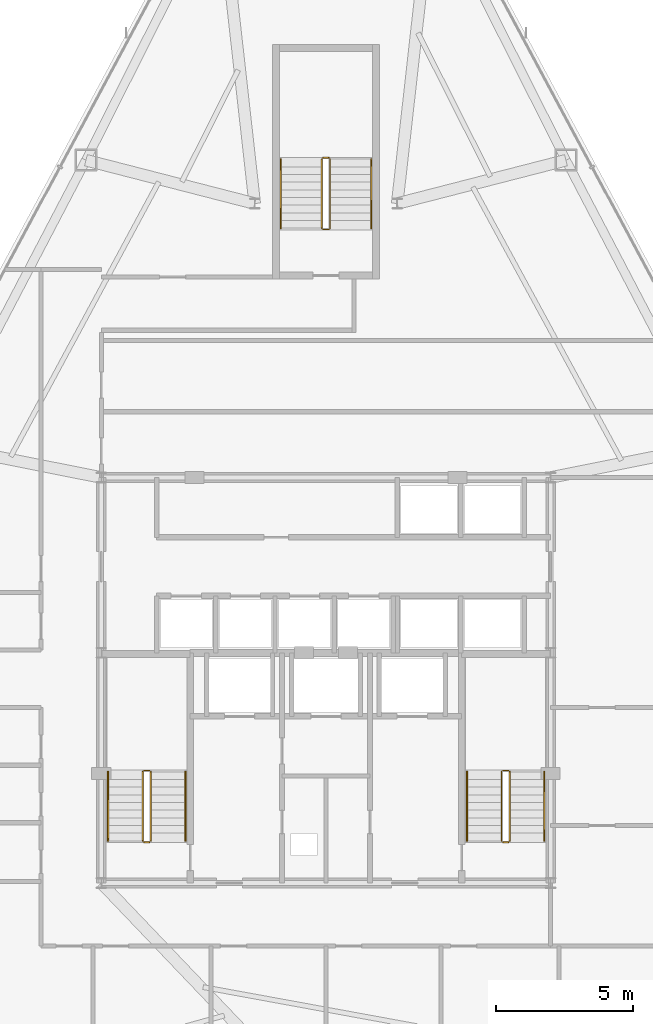
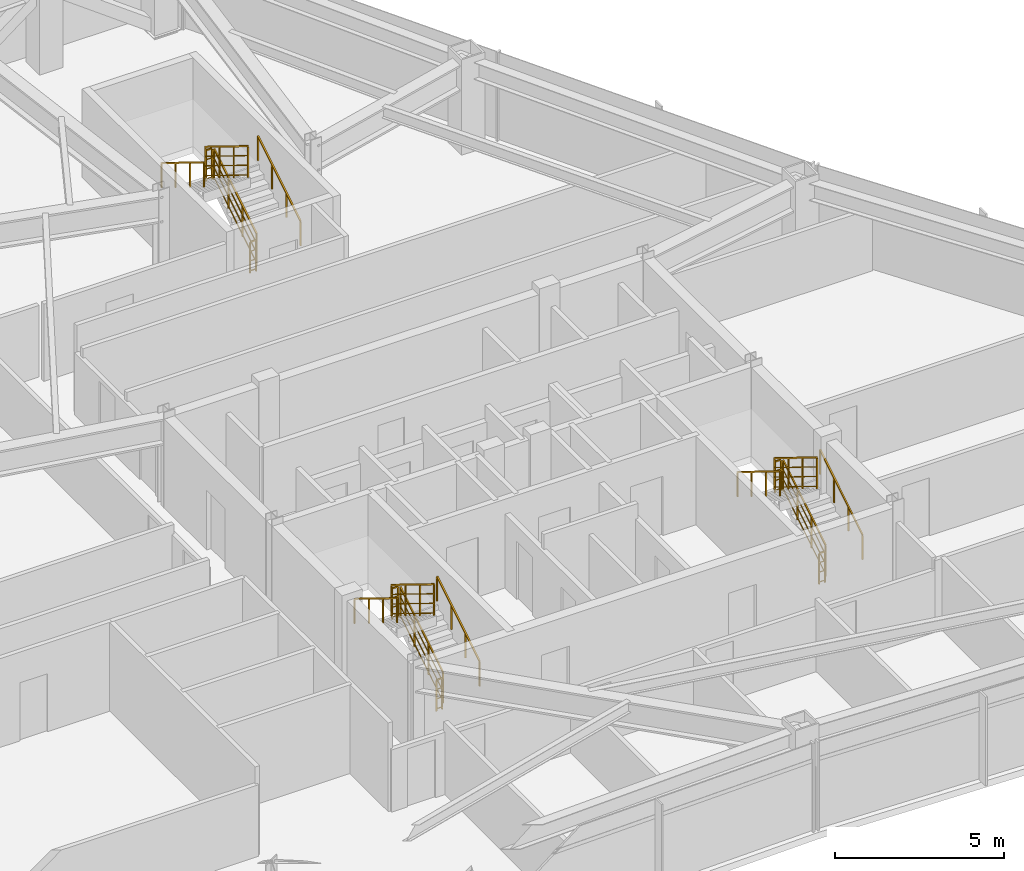
# One storey, part 13 of 13: 18 railings.
"""IFC4 building model written with IfcOpenShell, lengths in metres."""

from ifc_helpers import new_model, si_unit, direction, frame, origin, origin_2d, place, context, subcontext, project, spatial, rectangle, extrude, material, type_object, element, save


model = new_model("IFC4")

# Units and contexts
model_context = context("Model", 3, precision=1e-05, world=origin(), true_north=direction((0.0, 1.0)))
body_context = subcontext(model_context, "Body", "Model", "MODEL_VIEW")
ifc_project = project(units=[si_unit("LENGTHUNIT", "METRE"), si_unit("AREAUNIT", "SQUARE_METRE"), si_unit("VOLUMEUNIT", "CUBIC_METRE"), si_unit("PLANEANGLEUNIT", "RADIAN"), si_unit("MASSUNIT", "GRAM", prefix="KILO")], contexts=[model_context])

# Site, building, storey
site_placement = place(None, origin())
site = spatial("IfcSite", under=ifc_project, at=site_placement, CompositionType="ELEMENT")
building_placement = place(site_placement, origin())
building = spatial("IfcBuilding", under=site, at=building_placement, Name="Varakhsha Concourse Tower", CompositionType="ELEMENT")
storey_placement = place(building_placement, frame((0.0, 0.0, 162.0)))
storey = spatial("IfcBuildingStorey", under=building, at=storey_placement, Name="L46", CompositionType="ELEMENT", Elevation=162.0)

# Railings
ifc_material = material(Name="Brushed Austenitic Stainless Steel AISI 316", Category="steel")
railing_type_1 = type_object("IfcRailingType", Name="RL-STAIR-GUARD-1100", PredefinedType="GUARDRAIL", material=ifc_material)
railing_1_placement = place(storey_placement, frame((33.610107421875, 17.93994140625, 0.172607421875)))
element("IfcRailing", 1, at=railing_1_placement, inside=storey, type_object=railing_type_1, Name="L46 ST1 stair guard 1", PredefinedType="GUARDRAIL", context=body_context, shape_type="SweptSolid", body=[
    extrude(rectangle(XDim=0.048095703125, YDim=0.048095703125, at=origin_2d()), frame((0.0, 0.0, 1.1259765625), z_axis=(0.0, 0.851400495292, 0.524516154772), x_axis=(-1.0, 0.0, 0.0)), (0.0, 0.0, 1.0), 2.9599609375),
    extrude(rectangle(XDim=0.028076171875, YDim=0.028076171875, at=origin_2d()), frame((0.0, 0.0, 0.080078125), z_axis=(0.0, 0.851400495292, 0.524516154772), x_axis=(-1.0, 0.0, 0.0)), (0.0, 0.0, 1.0), 2.9599609375),
    extrude(rectangle(XDim=0.028076171875, YDim=0.028076171875, at=origin_2d()), frame((0.0, 0.0, 0.43701171875), z_axis=(0.0, 0.851400495292, 0.524516154772), x_axis=(-1.0, 0.0, 0.0)), (0.0, 0.0, 1.0), 2.9599609375),
    extrude(rectangle(XDim=0.028076171875, YDim=0.028076171875, at=origin_2d()), frame((0.0, 0.0, 0.781982421875), z_axis=(0.0, 0.851400495292, 0.524516154772), x_axis=(-1.0, 0.0, 0.0)), (0.0, 0.0, 1.0), 2.9599609375),
    extrude(rectangle(XDim=0.0419921875, YDim=0.0419921875, at=origin_2d()), origin(), (0.0, 0.0, 1.0), 1.101806640625),
    extrude(rectangle(XDim=0.0419921875, YDim=0.0419921875, at=origin_2d()), frame((0.0, 0.840087890625, 0.517578125)), (0.0, 0.0, 1.0), 1.101806640625),
    extrude(rectangle(XDim=0.0419921875, YDim=0.0419921875, at=origin_2d()), frame((0.0, 1.679931640625, 1.034912109375)), (0.0, 0.0, 1.0), 1.101806640625),
    extrude(rectangle(XDim=0.0419921875, YDim=0.0419921875, at=origin_2d()), frame((0.0, 2.52001953125, 1.552490234375)), (0.0, 0.0, 1.0), 1.101806640625),
])
railing_2_placement = place(storey_placement, frame((33.56005859375, 20.510009765625, 1.72509765625)))
element("IfcRailing", 2, at=railing_2_placement, inside=storey, type_object=railing_type_1, Name="L46 ST1 stair guard 2", PredefinedType="GUARDRAIL", context=body_context, shape_type="SweptSolid", body=[
    extrude(rectangle(XDim=0.048095703125, YDim=0.048095703125, at=origin_2d()), frame((0.0, 0.0, 1.1259765625), z_axis=(-1.0, 0.0, 0.0), x_axis=(0.0, -1.0, 0.0)), (0.0, 0.0, 1.0), 0.199951171875),
    extrude(rectangle(XDim=0.028076171875, YDim=0.028076171875, at=origin_2d()), frame((0.0, 0.0, 0.080078125), z_axis=(-1.0, 0.0, 0.0), x_axis=(0.0, -1.0, 0.0)), (0.0, 0.0, 1.0), 0.199951171875),
    extrude(rectangle(XDim=0.028076171875, YDim=0.028076171875, at=origin_2d()), frame((0.0, 0.0, 0.43701171875), z_axis=(-1.0, 0.0, 0.0), x_axis=(0.0, -1.0, 0.0)), (0.0, 0.0, 1.0), 0.199951171875),
    extrude(rectangle(XDim=0.028076171875, YDim=0.028076171875, at=origin_2d()), frame((0.0, 0.0, 0.781982421875), z_axis=(-1.0, 0.0, 0.0), x_axis=(0.0, -1.0, 0.0)), (0.0, 0.0, 1.0), 0.199951171875),
    extrude(rectangle(XDim=0.0419921875, YDim=0.0419921875, at=origin_2d()), origin(), (0.0, 0.0, 1.0), 1.101806640625),
    extrude(rectangle(XDim=0.0419921875, YDim=0.0419921875, at=origin_2d()), frame((-0.199951171875, 0.0, 0.0)), (0.0, 0.0, 1.0), 1.101806640625),
])
railing_3_placement = place(storey_placement, frame((33.31005859375, 20.4599609375, 1.8974609375)))
element("IfcRailing", 3, at=railing_3_placement, inside=storey, type_object=railing_type_1, Name="L46 ST1 stair guard 3", PredefinedType="GUARDRAIL", context=body_context, shape_type="SweptSolid", body=[
    extrude(rectangle(XDim=0.048095703125, YDim=0.048095703125, at=origin_2d()), frame((0.0, 0.0, 1.1259765625), z_axis=(0.0, -0.851400495292, 0.524516154772), x_axis=(1.0, 0.0, 0.0)), (0.0, 0.0, 1.0), 2.9599609375),
    extrude(rectangle(XDim=0.028076171875, YDim=0.028076171875, at=origin_2d()), frame((0.0, 0.0, 0.080078125), z_axis=(0.0, -0.851400495292, 0.524516154772), x_axis=(1.0, 0.0, 0.0)), (0.0, 0.0, 1.0), 2.9599609375),
    extrude(rectangle(XDim=0.028076171875, YDim=0.028076171875, at=origin_2d()), frame((0.0, 0.0, 0.43701171875), z_axis=(0.0, -0.851400495292, 0.524516154772), x_axis=(1.0, 0.0, 0.0)), (0.0, 0.0, 1.0), 2.9599609375),
    extrude(rectangle(XDim=0.028076171875, YDim=0.028076171875, at=origin_2d()), frame((0.0, 0.0, 0.781982421875), z_axis=(0.0, -0.851400495292, 0.524516154772), x_axis=(1.0, 0.0, 0.0)), (0.0, 0.0, 1.0), 2.9599609375),
    extrude(rectangle(XDim=0.0419921875, YDim=0.0419921875, at=origin_2d()), origin(), (0.0, 0.0, 1.0), 1.101806640625),
    extrude(rectangle(XDim=0.0419921875, YDim=0.0419921875, at=origin_2d()), frame((0.0, -0.840087890625, 0.517578125)), (0.0, 0.0, 1.0), 1.101806640625),
    extrude(rectangle(XDim=0.0419921875, YDim=0.0419921875, at=origin_2d()), frame((0.0, -1.679931640625, 1.034912109375)), (0.0, 0.0, 1.0), 1.101806640625),
    extrude(rectangle(XDim=0.0419921875, YDim=0.0419921875, at=origin_2d()), frame((0.0, -2.52001953125, 1.552490234375)), (0.0, 0.0, 1.0), 1.101806640625),
])
railing_4_placement = place(storey_placement, frame((33.56005859375, 17.889892578125, 0.0)))
element("IfcRailing", 4, at=railing_4_placement, inside=storey, type_object=railing_type_1, Name="L46 ST1 stair guard 4", PredefinedType="GUARDRAIL", context=body_context, shape_type="SweptSolid", body=[
    extrude(rectangle(XDim=0.048095703125, YDim=0.048095703125, at=origin_2d()), frame((0.0, 0.0, 1.1259765625), z_axis=(-1.0, 0.0, 0.0), x_axis=(0.0, -1.0, 0.0)), (0.0, 0.0, 1.0), 0.199951171875),
    extrude(rectangle(XDim=0.028076171875, YDim=0.028076171875, at=origin_2d()), frame((0.0, 0.0, 0.080078125), z_axis=(-1.0, 0.0, 0.0), x_axis=(0.0, -1.0, 0.0)), (0.0, 0.0, 1.0), 0.199951171875),
    extrude(rectangle(XDim=0.028076171875, YDim=0.028076171875, at=origin_2d()), frame((0.0, 0.0, 0.43701171875), z_axis=(-1.0, 0.0, 0.0), x_axis=(0.0, -1.0, 0.0)), (0.0, 0.0, 1.0), 0.199951171875),
    extrude(rectangle(XDim=0.028076171875, YDim=0.028076171875, at=origin_2d()), frame((0.0, 0.0, 0.781982421875), z_axis=(-1.0, 0.0, 0.0), x_axis=(0.0, -1.0, 0.0)), (0.0, 0.0, 1.0), 0.199951171875),
    extrude(rectangle(XDim=0.0419921875, YDim=0.0419921875, at=origin_2d()), origin(), (0.0, 0.0, 1.0), 1.101806640625),
    extrude(rectangle(XDim=0.0419921875, YDim=0.0419921875, at=origin_2d()), frame((-0.199951171875, 0.0, 0.0)), (0.0, 0.0, 1.0), 1.101806640625),
])
railing_5_placement = place(storey_placement, frame((46.7099609375, 17.93994140625, 0.172607421875)))
element("IfcRailing", 5, at=railing_5_placement, inside=storey, type_object=railing_type_1, Name="L46 ST2 stair guard 1", PredefinedType="GUARDRAIL", context=body_context, shape_type="SweptSolid", body=[
    extrude(rectangle(XDim=0.048095703125, YDim=0.048095703125, at=origin_2d()), frame((0.0, 0.0, 1.1259765625), z_axis=(0.0, 0.851400495292, 0.524516154772), x_axis=(-1.0, 0.0, 0.0)), (0.0, 0.0, 1.0), 2.9599609375),
    extrude(rectangle(XDim=0.028076171875, YDim=0.028076171875, at=origin_2d()), frame((0.0, 0.0, 0.080078125), z_axis=(0.0, 0.851400495292, 0.524516154772), x_axis=(-1.0, 0.0, 0.0)), (0.0, 0.0, 1.0), 2.9599609375),
    extrude(rectangle(XDim=0.028076171875, YDim=0.028076171875, at=origin_2d()), frame((0.0, 0.0, 0.43701171875), z_axis=(0.0, 0.851400495292, 0.524516154772), x_axis=(-1.0, 0.0, 0.0)), (0.0, 0.0, 1.0), 2.9599609375),
    extrude(rectangle(XDim=0.028076171875, YDim=0.028076171875, at=origin_2d()), frame((0.0, 0.0, 0.781982421875), z_axis=(0.0, 0.851400495292, 0.524516154772), x_axis=(-1.0, 0.0, 0.0)), (0.0, 0.0, 1.0), 2.9599609375),
    extrude(rectangle(XDim=0.0419921875, YDim=0.0419921875, at=origin_2d()), origin(), (0.0, 0.0, 1.0), 1.101806640625),
    extrude(rectangle(XDim=0.0419921875, YDim=0.0419921875, at=origin_2d()), frame((0.0, 0.840087890625, 0.517578125)), (0.0, 0.0, 1.0), 1.101806640625),
    extrude(rectangle(XDim=0.0419921875, YDim=0.0419921875, at=origin_2d()), frame((0.0, 1.679931640625, 1.034912109375)), (0.0, 0.0, 1.0), 1.101806640625),
    extrude(rectangle(XDim=0.0419921875, YDim=0.0419921875, at=origin_2d()), frame((0.0, 2.52001953125, 1.552490234375)), (0.0, 0.0, 1.0), 1.101806640625),
])
railing_6_placement = place(storey_placement, frame((46.659912109375, 20.510009765625, 1.72509765625)))
element("IfcRailing", 6, at=railing_6_placement, inside=storey, type_object=railing_type_1, Name="L46 ST2 stair guard 2", PredefinedType="GUARDRAIL", context=body_context, shape_type="SweptSolid", body=[
    extrude(rectangle(XDim=0.048095703125, YDim=0.048095703125, at=origin_2d()), frame((0.0, 0.0, 1.1259765625), z_axis=(-1.0, 0.0, 0.0), x_axis=(0.0, -1.0, 0.0)), (0.0, 0.0, 1.0), 0.199951171875),
    extrude(rectangle(XDim=0.028076171875, YDim=0.028076171875, at=origin_2d()), frame((0.0, 0.0, 0.080078125), z_axis=(-1.0, 0.0, 0.0), x_axis=(0.0, -1.0, 0.0)), (0.0, 0.0, 1.0), 0.199951171875),
    extrude(rectangle(XDim=0.028076171875, YDim=0.028076171875, at=origin_2d()), frame((0.0, 0.0, 0.43701171875), z_axis=(-1.0, 0.0, 0.0), x_axis=(0.0, -1.0, 0.0)), (0.0, 0.0, 1.0), 0.199951171875),
    extrude(rectangle(XDim=0.028076171875, YDim=0.028076171875, at=origin_2d()), frame((0.0, 0.0, 0.781982421875), z_axis=(-1.0, 0.0, 0.0), x_axis=(0.0, -1.0, 0.0)), (0.0, 0.0, 1.0), 0.199951171875),
    extrude(rectangle(XDim=0.0419921875, YDim=0.0419921875, at=origin_2d()), origin(), (0.0, 0.0, 1.0), 1.101806640625),
    extrude(rectangle(XDim=0.0419921875, YDim=0.0419921875, at=origin_2d()), frame((-0.199951171875, 0.0, 0.0)), (0.0, 0.0, 1.0), 1.101806640625),
])
railing_7_placement = place(storey_placement, frame((46.409912109375, 20.4599609375, 1.8974609375)))
element("IfcRailing", 7, at=railing_7_placement, inside=storey, type_object=railing_type_1, Name="L46 ST2 stair guard 3", PredefinedType="GUARDRAIL", context=body_context, shape_type="SweptSolid", body=[
    extrude(rectangle(XDim=0.048095703125, YDim=0.048095703125, at=origin_2d()), frame((0.0, 0.0, 1.1259765625), z_axis=(0.0, -0.851400495292, 0.524516154772), x_axis=(1.0, 0.0, 0.0)), (0.0, 0.0, 1.0), 2.9599609375),
    extrude(rectangle(XDim=0.028076171875, YDim=0.028076171875, at=origin_2d()), frame((0.0, 0.0, 0.080078125), z_axis=(0.0, -0.851400495292, 0.524516154772), x_axis=(1.0, 0.0, 0.0)), (0.0, 0.0, 1.0), 2.9599609375),
    extrude(rectangle(XDim=0.028076171875, YDim=0.028076171875, at=origin_2d()), frame((0.0, 0.0, 0.43701171875), z_axis=(0.0, -0.851400495292, 0.524516154772), x_axis=(1.0, 0.0, 0.0)), (0.0, 0.0, 1.0), 2.9599609375),
    extrude(rectangle(XDim=0.028076171875, YDim=0.028076171875, at=origin_2d()), frame((0.0, 0.0, 0.781982421875), z_axis=(0.0, -0.851400495292, 0.524516154772), x_axis=(1.0, 0.0, 0.0)), (0.0, 0.0, 1.0), 2.9599609375),
    extrude(rectangle(XDim=0.0419921875, YDim=0.0419921875, at=origin_2d()), origin(), (0.0, 0.0, 1.0), 1.101806640625),
    extrude(rectangle(XDim=0.0419921875, YDim=0.0419921875, at=origin_2d()), frame((0.0, -0.840087890625, 0.517578125)), (0.0, 0.0, 1.0), 1.101806640625),
    extrude(rectangle(XDim=0.0419921875, YDim=0.0419921875, at=origin_2d()), frame((0.0, -1.679931640625, 1.034912109375)), (0.0, 0.0, 1.0), 1.101806640625),
    extrude(rectangle(XDim=0.0419921875, YDim=0.0419921875, at=origin_2d()), frame((0.0, -2.52001953125, 1.552490234375)), (0.0, 0.0, 1.0), 1.101806640625),
])
railing_8_placement = place(storey_placement, frame((46.659912109375, 17.889892578125, 0.0)))
element("IfcRailing", 8, at=railing_8_placement, inside=storey, type_object=railing_type_1, Name="L46 ST2 stair guard 4", PredefinedType="GUARDRAIL", context=body_context, shape_type="SweptSolid", body=[
    extrude(rectangle(XDim=0.048095703125, YDim=0.048095703125, at=origin_2d()), frame((0.0, 0.0, 1.1259765625), z_axis=(-1.0, 0.0, 0.0), x_axis=(0.0, -1.0, 0.0)), (0.0, 0.0, 1.0), 0.199951171875),
    extrude(rectangle(XDim=0.028076171875, YDim=0.028076171875, at=origin_2d()), frame((0.0, 0.0, 0.080078125), z_axis=(-1.0, 0.0, 0.0), x_axis=(0.0, -1.0, 0.0)), (0.0, 0.0, 1.0), 0.199951171875),
    extrude(rectangle(XDim=0.028076171875, YDim=0.028076171875, at=origin_2d()), frame((0.0, 0.0, 0.43701171875), z_axis=(-1.0, 0.0, 0.0), x_axis=(0.0, -1.0, 0.0)), (0.0, 0.0, 1.0), 0.199951171875),
    extrude(rectangle(XDim=0.028076171875, YDim=0.028076171875, at=origin_2d()), frame((0.0, 0.0, 0.781982421875), z_axis=(-1.0, 0.0, 0.0), x_axis=(0.0, -1.0, 0.0)), (0.0, 0.0, 1.0), 0.199951171875),
    extrude(rectangle(XDim=0.0419921875, YDim=0.0419921875, at=origin_2d()), origin(), (0.0, 0.0, 1.0), 1.101806640625),
    extrude(rectangle(XDim=0.0419921875, YDim=0.0419921875, at=origin_2d()), frame((-0.199951171875, 0.0, 0.0)), (0.0, 0.0, 1.0), 1.101806640625),
])
railing_9_placement = place(storey_placement, frame((40.14990234375, 40.300048828125, 0.172607421875)))
element("IfcRailing", 9, at=railing_9_placement, inside=storey, type_object=railing_type_1, Name="L46 ST5 stair guard 1", PredefinedType="GUARDRAIL", context=body_context, shape_type="SweptSolid", body=[
    extrude(rectangle(XDim=0.048095703125, YDim=0.048095703125, at=origin_2d()), frame((0.0, 0.0, 1.1259765625), z_axis=(0.0, 0.851400495292, 0.524516154772), x_axis=(-1.0, 0.0, 0.0)), (0.0, 0.0, 1.0), 2.9599609375),
    extrude(rectangle(XDim=0.028076171875, YDim=0.028076171875, at=origin_2d()), frame((0.0, 0.0, 0.080078125), z_axis=(0.0, 0.851400495292, 0.524516154772), x_axis=(-1.0, 0.0, 0.0)), (0.0, 0.0, 1.0), 2.9599609375),
    extrude(rectangle(XDim=0.028076171875, YDim=0.028076171875, at=origin_2d()), frame((0.0, 0.0, 0.43701171875), z_axis=(0.0, 0.851400495292, 0.524516154772), x_axis=(-1.0, 0.0, 0.0)), (0.0, 0.0, 1.0), 2.9599609375),
    extrude(rectangle(XDim=0.028076171875, YDim=0.028076171875, at=origin_2d()), frame((0.0, 0.0, 0.781982421875), z_axis=(0.0, 0.851400495292, 0.524516154772), x_axis=(-1.0, 0.0, 0.0)), (0.0, 0.0, 1.0), 2.9599609375),
    extrude(rectangle(XDim=0.0419921875, YDim=0.0419921875, at=origin_2d()), origin(), (0.0, 0.0, 1.0), 1.101806640625),
    extrude(rectangle(XDim=0.0419921875, YDim=0.0419921875, at=origin_2d()), frame((0.0, 0.840087890625, 0.517578125)), (0.0, 0.0, 1.0), 1.101806640625),
    extrude(rectangle(XDim=0.0419921875, YDim=0.0419921875, at=origin_2d()), frame((0.0, 1.679931640625, 1.034912109375)), (0.0, 0.0, 1.0), 1.101806640625),
    extrude(rectangle(XDim=0.0419921875, YDim=0.0419921875, at=origin_2d()), frame((0.0, 2.52001953125, 1.552490234375)), (0.0, 0.0, 1.0), 1.101806640625),
])
railing_10_placement = place(storey_placement, frame((40.10009765625, 42.8701171875, 1.72509765625)))
element("IfcRailing", 10, at=railing_10_placement, inside=storey, type_object=railing_type_1, Name="L46 ST5 stair guard 2", PredefinedType="GUARDRAIL", context=body_context, shape_type="SweptSolid", body=[
    extrude(rectangle(XDim=0.048095703125, YDim=0.048095703125, at=origin_2d()), frame((0.0, 0.0, 1.1259765625), z_axis=(-1.0, 0.0, 0.0), x_axis=(0.0, -1.0, 0.0)), (0.0, 0.0, 1.0), 0.2001953125),
    extrude(rectangle(XDim=0.028076171875, YDim=0.028076171875, at=origin_2d()), frame((0.0, 0.0, 0.080078125), z_axis=(-1.0, 0.0, 0.0), x_axis=(0.0, -1.0, 0.0)), (0.0, 0.0, 1.0), 0.2001953125),
    extrude(rectangle(XDim=0.028076171875, YDim=0.028076171875, at=origin_2d()), frame((0.0, 0.0, 0.43701171875), z_axis=(-1.0, 0.0, 0.0), x_axis=(0.0, -1.0, 0.0)), (0.0, 0.0, 1.0), 0.2001953125),
    extrude(rectangle(XDim=0.028076171875, YDim=0.028076171875, at=origin_2d()), frame((0.0, 0.0, 0.781982421875), z_axis=(-1.0, 0.0, 0.0), x_axis=(0.0, -1.0, 0.0)), (0.0, 0.0, 1.0), 0.2001953125),
    extrude(rectangle(XDim=0.0419921875, YDim=0.0419921875, at=origin_2d()), origin(), (0.0, 0.0, 1.0), 1.101806640625),
    extrude(rectangle(XDim=0.0419921875, YDim=0.0419921875, at=origin_2d()), frame((-0.2001953125, 0.0, 0.0)), (0.0, 0.0, 1.0), 1.101806640625),
])
railing_11_placement = place(storey_placement, frame((39.85009765625, 42.820068359375, 1.8974609375)))
element("IfcRailing", 11, at=railing_11_placement, inside=storey, type_object=railing_type_1, Name="L46 ST5 stair guard 3", PredefinedType="GUARDRAIL", context=body_context, shape_type="SweptSolid", body=[
    extrude(rectangle(XDim=0.048095703125, YDim=0.048095703125, at=origin_2d()), frame((0.0, 0.0, 1.1259765625), z_axis=(0.0, -0.851400495292, 0.524516154772), x_axis=(1.0, 0.0, 0.0)), (0.0, 0.0, 1.0), 2.9599609375),
    extrude(rectangle(XDim=0.028076171875, YDim=0.028076171875, at=origin_2d()), frame((0.0, 0.0, 0.080078125), z_axis=(0.0, -0.851400495292, 0.524516154772), x_axis=(1.0, 0.0, 0.0)), (0.0, 0.0, 1.0), 2.9599609375),
    extrude(rectangle(XDim=0.028076171875, YDim=0.028076171875, at=origin_2d()), frame((0.0, 0.0, 0.43701171875), z_axis=(0.0, -0.851400495292, 0.524516154772), x_axis=(1.0, 0.0, 0.0)), (0.0, 0.0, 1.0), 2.9599609375),
    extrude(rectangle(XDim=0.028076171875, YDim=0.028076171875, at=origin_2d()), frame((0.0, 0.0, 0.781982421875), z_axis=(0.0, -0.851400495292, 0.524516154772), x_axis=(1.0, 0.0, 0.0)), (0.0, 0.0, 1.0), 2.9599609375),
    extrude(rectangle(XDim=0.0419921875, YDim=0.0419921875, at=origin_2d()), origin(), (0.0, 0.0, 1.0), 1.101806640625),
    extrude(rectangle(XDim=0.0419921875, YDim=0.0419921875, at=origin_2d()), frame((0.0, -0.840087890625, 0.517578125)), (0.0, 0.0, 1.0), 1.101806640625),
    extrude(rectangle(XDim=0.0419921875, YDim=0.0419921875, at=origin_2d()), frame((0.0, -1.679931640625, 1.034912109375)), (0.0, 0.0, 1.0), 1.101806640625),
    extrude(rectangle(XDim=0.0419921875, YDim=0.0419921875, at=origin_2d()), frame((0.0, -2.52001953125, 1.552490234375)), (0.0, 0.0, 1.0), 1.101806640625),
])
railing_12_placement = place(storey_placement, frame((40.10009765625, 40.25, 0.0)))
element("IfcRailing", 12, at=railing_12_placement, inside=storey, type_object=railing_type_1, Name="L46 ST5 stair guard 4", PredefinedType="GUARDRAIL", context=body_context, shape_type="SweptSolid", body=[
    extrude(rectangle(XDim=0.048095703125, YDim=0.048095703125, at=origin_2d()), frame((0.0, 0.0, 1.1259765625), z_axis=(-1.0, 0.0, 0.0), x_axis=(0.0, -1.0, 0.0)), (0.0, 0.0, 1.0), 0.2001953125),
    extrude(rectangle(XDim=0.028076171875, YDim=0.028076171875, at=origin_2d()), frame((0.0, 0.0, 0.080078125), z_axis=(-1.0, 0.0, 0.0), x_axis=(0.0, -1.0, 0.0)), (0.0, 0.0, 1.0), 0.2001953125),
    extrude(rectangle(XDim=0.028076171875, YDim=0.028076171875, at=origin_2d()), frame((0.0, 0.0, 0.43701171875), z_axis=(-1.0, 0.0, 0.0), x_axis=(0.0, -1.0, 0.0)), (0.0, 0.0, 1.0), 0.2001953125),
    extrude(rectangle(XDim=0.028076171875, YDim=0.028076171875, at=origin_2d()), frame((0.0, 0.0, 0.781982421875), z_axis=(-1.0, 0.0, 0.0), x_axis=(0.0, -1.0, 0.0)), (0.0, 0.0, 1.0), 0.2001953125),
    extrude(rectangle(XDim=0.0419921875, YDim=0.0419921875, at=origin_2d()), origin(), (0.0, 0.0, 1.0), 1.101806640625),
    extrude(rectangle(XDim=0.0419921875, YDim=0.0419921875, at=origin_2d()), frame((-0.2001953125, 0.0, 0.0)), (0.0, 0.0, 1.0), 1.101806640625),
])
railing_type_2 = type_object("IfcRailingType", Name="RL-STAIR-RAIL-915", PredefinedType="HANDRAIL", material=ifc_material)
railing_13_placement = place(storey_placement, frame((34.8701171875, 17.93994140625, 0.344970703125)))
element("IfcRailing", 13, at=railing_13_placement, inside=storey, type_object=railing_type_2, Name="L46 ST1 stair handrail 1", PredefinedType="HANDRAIL", context=body_context, shape_type="SweptSolid", body=[
    extrude(rectangle(XDim=0.048095703125, YDim=0.048095703125, at=origin_2d()), frame((0.0, 0.0, 0.89111328125), z_axis=(0.0, 0.851400495292, 0.524516154772), x_axis=(-1.0, 0.0, 0.0)), (0.0, 0.0, 1.0), 2.9599609375),
    extrude(rectangle(XDim=0.0419921875, YDim=0.0419921875, at=origin_2d()), origin(), (0.0, 0.0, 1.0), 0.866943359375),
    extrude(rectangle(XDim=0.0419921875, YDim=0.0419921875, at=origin_2d()), frame((0.0, 0.840087890625, 0.517578125)), (0.0, 0.0, 1.0), 0.866943359375),
    extrude(rectangle(XDim=0.0419921875, YDim=0.0419921875, at=origin_2d()), frame((0.0, 1.679931640625, 1.034912109375)), (0.0, 0.0, 1.0), 0.866943359375),
    extrude(rectangle(XDim=0.0419921875, YDim=0.0419921875, at=origin_2d()), frame((0.0, 2.52001953125, 1.552490234375)), (0.0, 0.0, 1.0), 0.866943359375),
])
railing_14_placement = place(storey_placement, frame((32.050048828125, 20.4599609375, 2.070068359375)))
element("IfcRailing", 14, at=railing_14_placement, inside=storey, type_object=railing_type_2, Name="L46 ST1 stair handrail 2", PredefinedType="HANDRAIL", context=body_context, shape_type="SweptSolid", body=[
    extrude(rectangle(XDim=0.048095703125, YDim=0.048095703125, at=origin_2d()), frame((0.0, 0.0, 0.89111328125), z_axis=(0.0, -0.851400495292, 0.524516154772), x_axis=(1.0, 0.0, 0.0)), (0.0, 0.0, 1.0), 2.9599609375),
    extrude(rectangle(XDim=0.0419921875, YDim=0.0419921875, at=origin_2d()), origin(), (0.0, 0.0, 1.0), 0.866943359375),
    extrude(rectangle(XDim=0.0419921875, YDim=0.0419921875, at=origin_2d()), frame((0.0, -0.840087890625, 0.517578125)), (0.0, 0.0, 1.0), 0.866943359375),
    extrude(rectangle(XDim=0.0419921875, YDim=0.0419921875, at=origin_2d()), frame((0.0, -1.679931640625, 1.034912109375)), (0.0, 0.0, 1.0), 0.866943359375),
    extrude(rectangle(XDim=0.0419921875, YDim=0.0419921875, at=origin_2d()), frame((0.0, -2.52001953125, 1.552490234375)), (0.0, 0.0, 1.0), 0.866943359375),
])
railing_15_placement = place(storey_placement, frame((47.969970703125, 17.93994140625, 0.344970703125)))
element("IfcRailing", 15, at=railing_15_placement, inside=storey, type_object=railing_type_2, Name="L46 ST2 stair handrail 1", PredefinedType="HANDRAIL", context=body_context, shape_type="SweptSolid", body=[
    extrude(rectangle(XDim=0.048095703125, YDim=0.048095703125, at=origin_2d()), frame((0.0, 0.0, 0.89111328125), z_axis=(0.0, 0.851400495292, 0.524516154772), x_axis=(-1.0, 0.0, 0.0)), (0.0, 0.0, 1.0), 2.9599609375),
    extrude(rectangle(XDim=0.0419921875, YDim=0.0419921875, at=origin_2d()), origin(), (0.0, 0.0, 1.0), 0.866943359375),
    extrude(rectangle(XDim=0.0419921875, YDim=0.0419921875, at=origin_2d()), frame((0.0, 0.840087890625, 0.517578125)), (0.0, 0.0, 1.0), 0.866943359375),
    extrude(rectangle(XDim=0.0419921875, YDim=0.0419921875, at=origin_2d()), frame((0.0, 1.679931640625, 1.034912109375)), (0.0, 0.0, 1.0), 0.866943359375),
    extrude(rectangle(XDim=0.0419921875, YDim=0.0419921875, at=origin_2d()), frame((0.0, 2.52001953125, 1.552490234375)), (0.0, 0.0, 1.0), 0.866943359375),
])
railing_16_placement = place(storey_placement, frame((45.14990234375, 20.4599609375, 2.070068359375)))
element("IfcRailing", 16, at=railing_16_placement, inside=storey, type_object=railing_type_2, Name="L46 ST2 stair handrail 2", PredefinedType="HANDRAIL", context=body_context, shape_type="SweptSolid", body=[
    extrude(rectangle(XDim=0.048095703125, YDim=0.048095703125, at=origin_2d()), frame((0.0, 0.0, 0.89111328125), z_axis=(0.0, -0.851400495292, 0.524516154772), x_axis=(1.0, 0.0, 0.0)), (0.0, 0.0, 1.0), 2.9599609375),
    extrude(rectangle(XDim=0.0419921875, YDim=0.0419921875, at=origin_2d()), origin(), (0.0, 0.0, 1.0), 0.866943359375),
    extrude(rectangle(XDim=0.0419921875, YDim=0.0419921875, at=origin_2d()), frame((0.0, -0.840087890625, 0.517578125)), (0.0, 0.0, 1.0), 0.866943359375),
    extrude(rectangle(XDim=0.0419921875, YDim=0.0419921875, at=origin_2d()), frame((0.0, -1.679931640625, 1.034912109375)), (0.0, 0.0, 1.0), 0.866943359375),
    extrude(rectangle(XDim=0.0419921875, YDim=0.0419921875, at=origin_2d()), frame((0.0, -2.52001953125, 1.552490234375)), (0.0, 0.0, 1.0), 0.866943359375),
])
railing_17_placement = place(storey_placement, frame((41.64990234375, 40.300048828125, 0.344970703125)))
element("IfcRailing", 17, at=railing_17_placement, inside=storey, type_object=railing_type_2, Name="L46 ST5 stair handrail 1", PredefinedType="HANDRAIL", context=body_context, shape_type="SweptSolid", body=[
    extrude(rectangle(XDim=0.048095703125, YDim=0.048095703125, at=origin_2d()), frame((0.0, 0.0, 0.89111328125), z_axis=(0.0, 0.851400495292, 0.524516154772), x_axis=(-1.0, 0.0, 0.0)), (0.0, 0.0, 1.0), 2.9599609375),
    extrude(rectangle(XDim=0.0419921875, YDim=0.0419921875, at=origin_2d()), origin(), (0.0, 0.0, 1.0), 0.866943359375),
    extrude(rectangle(XDim=0.0419921875, YDim=0.0419921875, at=origin_2d()), frame((0.0, 0.840087890625, 0.517578125)), (0.0, 0.0, 1.0), 0.866943359375),
    extrude(rectangle(XDim=0.0419921875, YDim=0.0419921875, at=origin_2d()), frame((0.0, 1.679931640625, 1.034912109375)), (0.0, 0.0, 1.0), 0.866943359375),
    extrude(rectangle(XDim=0.0419921875, YDim=0.0419921875, at=origin_2d()), frame((0.0, 2.52001953125, 1.552490234375)), (0.0, 0.0, 1.0), 0.866943359375),
])
railing_18_placement = place(storey_placement, frame((38.35009765625, 42.820068359375, 2.070068359375)))
element("IfcRailing", 18, at=railing_18_placement, inside=storey, type_object=railing_type_2, Name="L46 ST5 stair handrail 2", PredefinedType="HANDRAIL", context=body_context, shape_type="SweptSolid", body=[
    extrude(rectangle(XDim=0.048095703125, YDim=0.048095703125, at=origin_2d()), frame((0.0, 0.0, 0.89111328125), z_axis=(0.0, -0.851400495292, 0.524516154772), x_axis=(1.0, 0.0, 0.0)), (0.0, 0.0, 1.0), 2.9599609375),
    extrude(rectangle(XDim=0.0419921875, YDim=0.0419921875, at=origin_2d()), origin(), (0.0, 0.0, 1.0), 0.866943359375),
    extrude(rectangle(XDim=0.0419921875, YDim=0.0419921875, at=origin_2d()), frame((0.0, -0.840087890625, 0.517578125)), (0.0, 0.0, 1.0), 0.866943359375),
    extrude(rectangle(XDim=0.0419921875, YDim=0.0419921875, at=origin_2d()), frame((0.0, -1.679931640625, 1.034912109375)), (0.0, 0.0, 1.0), 0.866943359375),
    extrude(rectangle(XDim=0.0419921875, YDim=0.0419921875, at=origin_2d()), frame((0.0, -2.52001953125, 1.552490234375)), (0.0, 0.0, 1.0), 0.866943359375),
])

save(model, "model.ifc")
